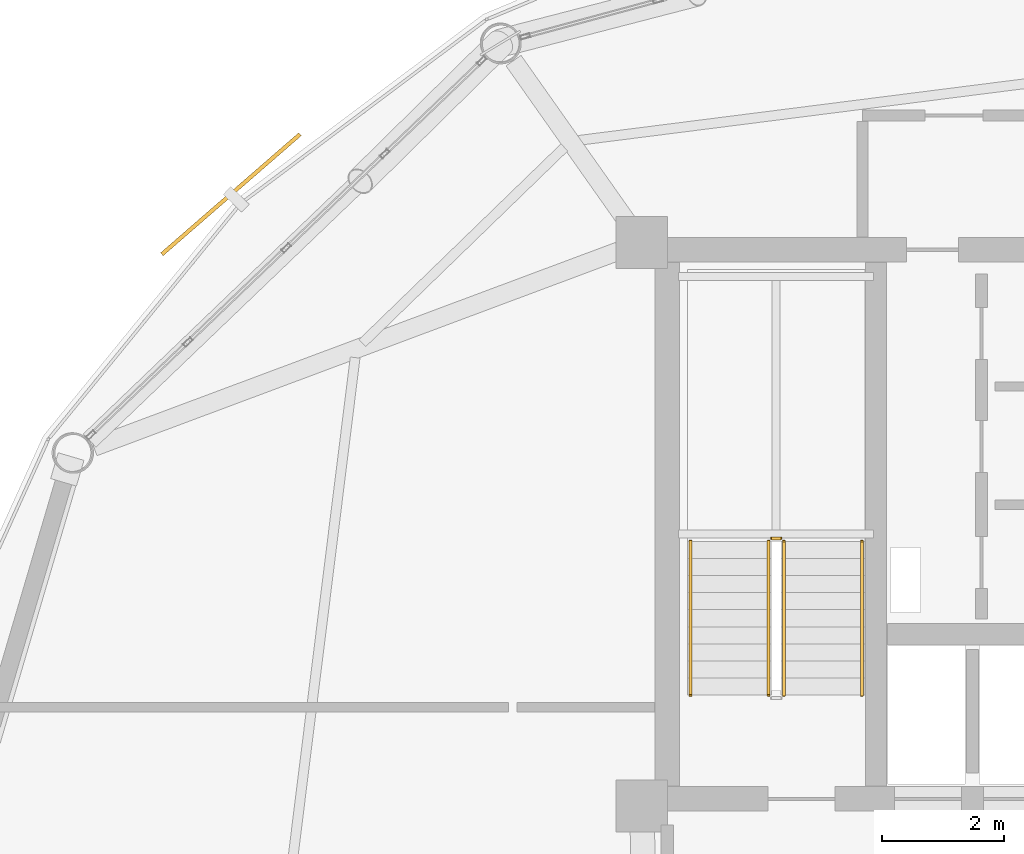
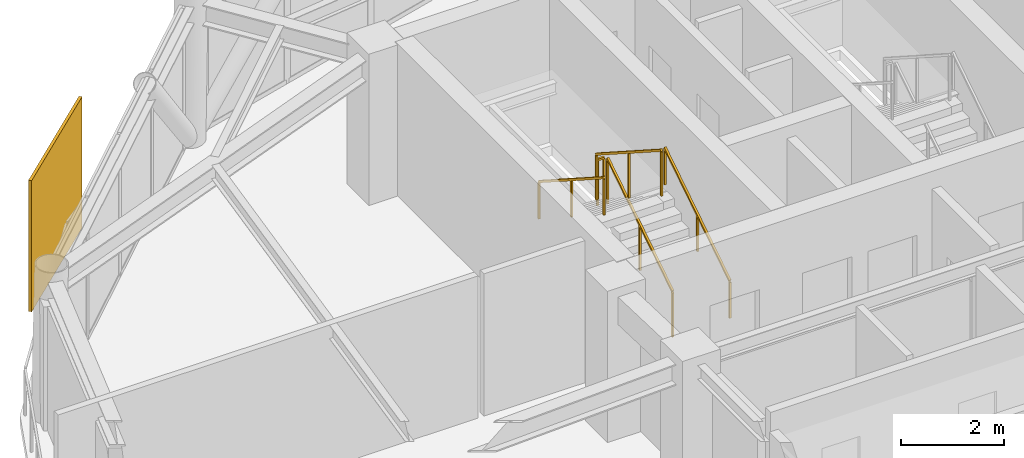
# One storey, part 26 of 28: 5 railings, 1 shading device.
"""IFC4 building model written with IfcOpenShell, lengths in metres."""

from ifc_helpers import new_model, si_unit, direction, frame, origin, origin_2d, place, context, subcontext, project, spatial, rectangle, extrude, source, transform, mapped, material, type_object, type_shapes, element, save


model = new_model("IFC4")

# Units and contexts
model_context = context("Model", 3, precision=1e-05, world=origin(), true_north=direction((0.0, 1.0)))
body_context = subcontext(model_context, "Body", "Model", "MODEL_VIEW")
ifc_project = project(units=[si_unit("LENGTHUNIT", "METRE"), si_unit("AREAUNIT", "SQUARE_METRE"), si_unit("VOLUMEUNIT", "CUBIC_METRE"), si_unit("PLANEANGLEUNIT", "RADIAN"), si_unit("MASSUNIT", "GRAM", prefix="KILO")], contexts=[model_context])

# Site, building, storey
site_placement = place(None, origin())
site = spatial("IfcSite", under=ifc_project, at=site_placement, CompositionType="ELEMENT")
building_placement = place(site_placement, origin())
building = spatial("IfcBuilding", under=site, at=building_placement, Name="Varnakorn Sky Granary", CompositionType="ELEMENT")
storey_placement = place(building_placement, frame((0.0, 0.0, 204.0)))
storey = spatial("IfcBuildingStorey", under=building, at=storey_placement, Name="L51", CompositionType="ELEMENT", Elevation=204.0)

# Railings
ifc_material_1 = material(Name="Brushed Stainless Steel 316", Category="steel")
railing_type_1 = type_object("IfcRailingType", Name="RL-STAIR-1100", PredefinedType="GUARDRAIL", material=ifc_material_1)
railing_1_placement = place(storey_placement, frame((-0.090087890625, 5.199951171875, 0.179931640625)))
element("IfcRailing", 1, at=railing_1_placement, inside=storey, type_object=railing_type_1, Name="L51 ST-1 stair guard 1", PredefinedType="GUARDRAIL", context=body_context, shape_type="SweptSolid", body=[
    extrude(rectangle(XDim=0.048095703125, YDim=0.048095703125, at=origin_2d()), frame((0.0, 0.0, 1.076171875), z_axis=(0.0, 0.841162588446, 0.540782303519), x_axis=(-1.0, 0.0, 0.0)), (0.0, 0.0, 1.0), 2.995849609375),
    extrude(rectangle(XDim=0.0419921875, YDim=0.0419921875, at=origin_2d()), origin(), (0.0, 0.0, 1.0), 1.048095703125),
    extrude(rectangle(XDim=0.0419921875, YDim=0.0419921875, at=origin_2d()), frame((0.0, 1.260009765625, 0.81005859375)), (0.0, 0.0, 1.0), 1.048095703125),
    extrude(rectangle(XDim=0.0419921875, YDim=0.0419921875, at=origin_2d()), frame((0.0, 2.52001953125, 1.6201171875)), (0.0, 0.0, 1.0), 1.048095703125),
])
railing_2_placement = place(storey_placement, frame((-0.139892578125, 7.77001953125, 1.800048828125)))
element("IfcRailing", 2, at=railing_2_placement, inside=storey, type_object=railing_type_1, Name="L51 ST-1 stair guard 2", PredefinedType="GUARDRAIL", context=body_context, shape_type="SweptSolid", body=[
    extrude(rectangle(XDim=0.048095703125, YDim=0.048095703125, at=origin_2d()), frame((0.0, 0.0, 1.076171875), z_axis=(-1.0, 0.0, 0.0), x_axis=(0.0, -1.0, 0.0)), (0.0, 0.0, 1.0), 0.150146484375),
    extrude(rectangle(XDim=0.0419921875, YDim=0.0419921875, at=origin_2d()), origin(), (0.0, 0.0, 1.0), 1.048095703125),
    extrude(rectangle(XDim=0.0419921875, YDim=0.0419921875, at=origin_2d()), frame((-0.150146484375, 0.0, 0.0)), (0.0, 0.0, 1.0), 1.048095703125),
])
railing_3_placement = place(storey_placement, frame((-0.340087890625, 7.719970703125, 1.97998046875)))
element("IfcRailing", 3, at=railing_3_placement, inside=storey, type_object=railing_type_1, Name="L51 ST-1 stair guard 3", PredefinedType="GUARDRAIL", context=body_context, shape_type="SweptSolid", body=[
    extrude(rectangle(XDim=0.048095703125, YDim=0.048095703125, at=origin_2d()), frame((0.0, 0.0, 1.076171875), z_axis=(0.0, -0.841162588446, 0.540782303519), x_axis=(1.0, 0.0, 0.0)), (0.0, 0.0, 1.0), 2.995849609375),
    extrude(rectangle(XDim=0.0419921875, YDim=0.0419921875, at=origin_2d()), origin(), (0.0, 0.0, 1.0), 1.048095703125),
    extrude(rectangle(XDim=0.0419921875, YDim=0.0419921875, at=origin_2d()), frame((0.0, -1.260009765625, 0.81005859375)), (0.0, 0.0, 1.0), 1.048095703125),
    extrude(rectangle(XDim=0.0419921875, YDim=0.0419921875, at=origin_2d()), frame((0.0, -2.52001953125, 1.6201171875)), (0.0, 0.0, 1.0), 1.048095703125),
])
railing_type_2 = type_object("IfcRailingType", Name="RL-STAIR-920", PredefinedType="HANDRAIL", material=ifc_material_1)
railing_4_placement = place(storey_placement, frame((1.18994140625, 5.199951171875, 0.179931640625)))
element("IfcRailing", 4, at=railing_4_placement, inside=storey, type_object=railing_type_2, Name="L51 ST-1 stair handrail 1", PredefinedType="HANDRAIL", context=body_context, shape_type="SweptSolid", body=[
    extrude(rectangle(XDim=0.048095703125, YDim=0.048095703125, at=origin_2d()), frame((0.0, 0.0, 0.8759765625), z_axis=(0.0, 0.841162588446, 0.540782303519), x_axis=(-1.0, 0.0, 0.0)), (0.0, 0.0, 1.0), 2.995849609375),
    extrude(rectangle(XDim=0.0419921875, YDim=0.0419921875, at=origin_2d()), origin(), (0.0, 0.0, 1.0), 0.847900390625),
    extrude(rectangle(XDim=0.0419921875, YDim=0.0419921875, at=origin_2d()), frame((0.0, 1.260009765625, 0.81005859375)), (0.0, 0.0, 1.0), 0.847900390625),
    extrude(rectangle(XDim=0.0419921875, YDim=0.0419921875, at=origin_2d()), frame((0.0, 2.52001953125, 1.6201171875)), (0.0, 0.0, 1.0), 0.847900390625),
])
railing_5_placement = place(storey_placement, frame((-1.6201171875, 7.719970703125, 1.97998046875)))
element("IfcRailing", 5, at=railing_5_placement, inside=storey, type_object=railing_type_2, Name="L51 ST-1 stair handrail 2", PredefinedType="HANDRAIL", context=body_context, shape_type="SweptSolid", body=[
    extrude(rectangle(XDim=0.048095703125, YDim=0.048095703125, at=origin_2d()), frame((0.0, 0.0, 0.8759765625), z_axis=(0.0, -0.841162588446, 0.540782303519), x_axis=(1.0, 0.0, 0.0)), (0.0, 0.0, 1.0), 2.995849609375),
    extrude(rectangle(XDim=0.0419921875, YDim=0.0419921875, at=origin_2d()), origin(), (0.0, 0.0, 1.0), 0.847900390625),
    extrude(rectangle(XDim=0.0419921875, YDim=0.0419921875, at=origin_2d()), frame((0.0, -1.260009765625, 0.81005859375)), (0.0, 0.0, 1.0), 0.847900390625),
    extrude(rectangle(XDim=0.0419921875, YDim=0.0419921875, at=origin_2d()), frame((0.0, -2.52001953125, 1.6201171875)), (0.0, 0.0, 1.0), 0.847900390625),
])

# Shading device
ifc_material_2 = material(Name="Anodised Bronze Aluminium Alloy 6063-T6", Category="aluminium")
shading_device_type = type_object("IfcShadingDeviceType", Name="SH-SCR-02", PredefinedType="USERDEFINED", material=ifc_material_2)
shared_shape = source(origin(), body_context, "Body", "SweptSolid", [
    extrude(rectangle(XDim=3.0, YDim=0.06494140625, at=origin_2d()), origin(), (0.0, 0.0, 1.0), 3.10009765625),
])
type_shapes(shading_device_type, [shared_shape])
shading_device_placement = place(storey_placement, frame((-9.15283203125, 13.409423828125, -0.0400390625), z_axis=(0.0, 0.0, 1.0), x_axis=(-0.754819413305, -0.655932659118, 0.0)))
element("IfcShadingDevice", 6, at=shading_device_placement, inside=storey, type_object=shading_device_type, Name="Perforated Bronze Solar Screen Panel SCREEN L51-05", ObjectType="SCREEN", PredefinedType="USERDEFINED", context=body_context, shape_type="MappedRepresentation", body=[
    mapped(shared_shape, transform((0.0, 0.0, 0.0), x_axis=(1.0, 0.0, 0.0), y_axis=(0.0, 1.0, 0.0), z_axis=(0.0, 0.0, 1.0), scale=1.0)),
])

save(model, "model.ifc")
